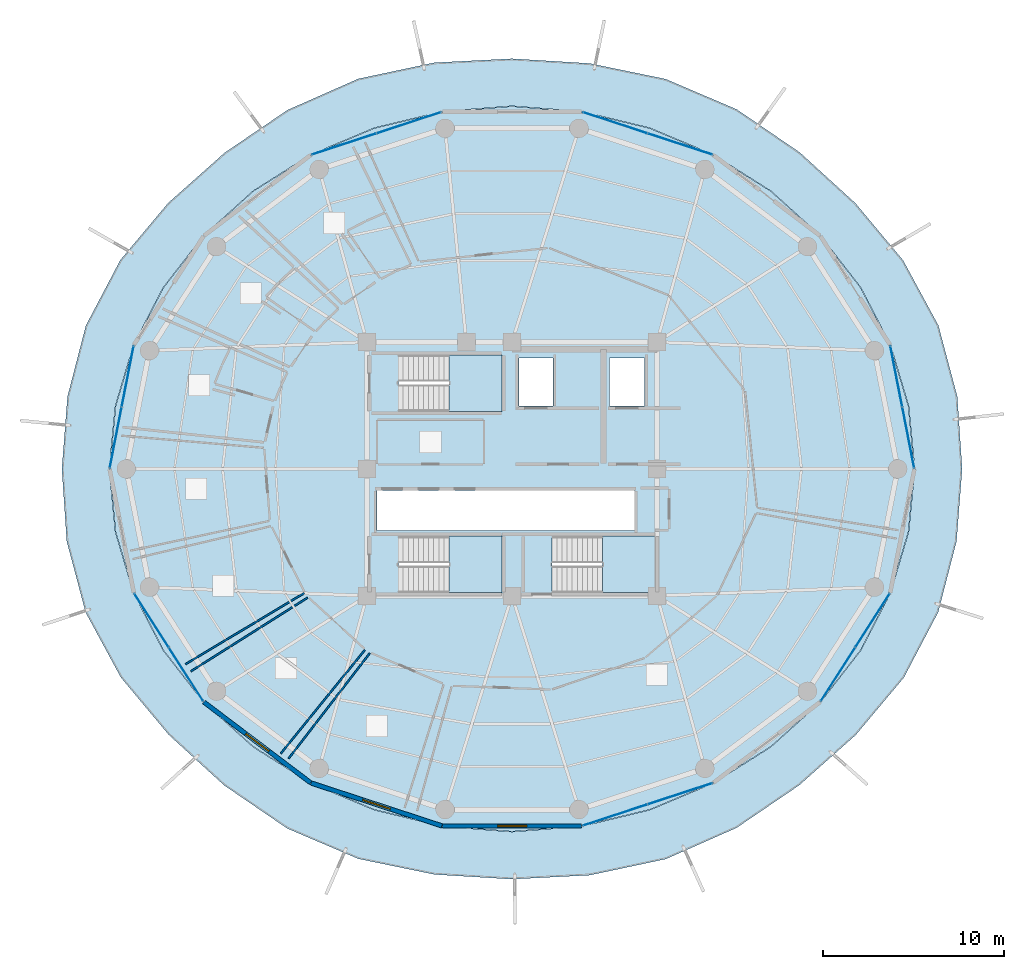
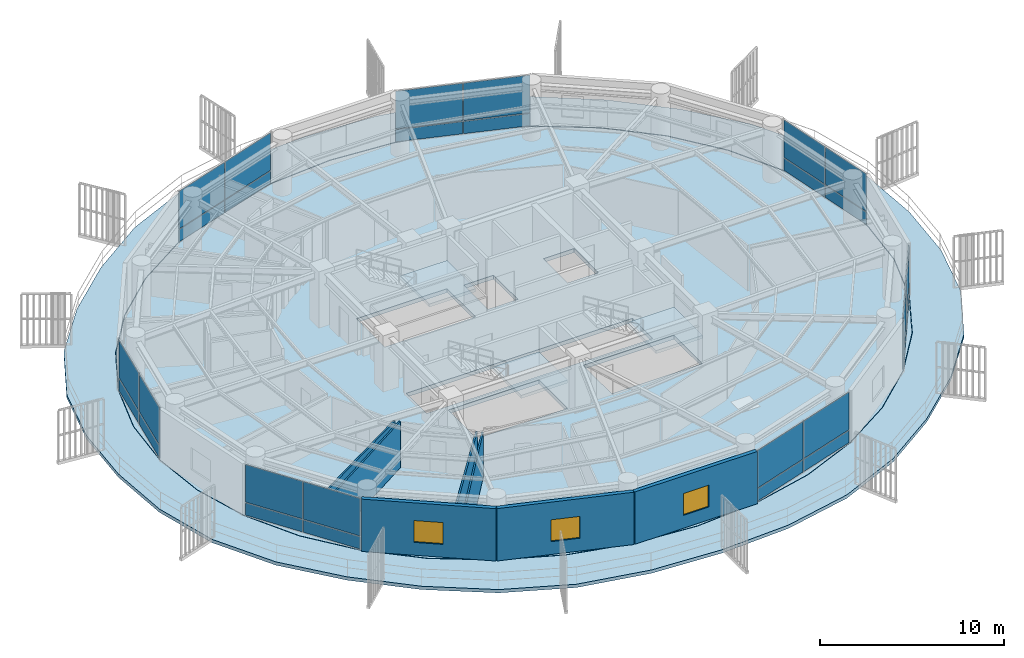
# One storey, part 23 of 31: 28 plates, 7 walls, 5 slabs, 3 windows, 3 openings, 10 elements without a shape of their own.
"""IFC4 building model written with IfcOpenShell, lengths in metres."""

from ifc_helpers import new_model, si_unit, direction, frame, frame_2d, origin, origin_2d, place, context, subcontext, project, spatial, polyline, rectangle, outline, extrude, source, transform, mapped, material, layer, layer_set, type_object, element, fill, aggregate, save


model = new_model("IFC4")

# Units and contexts
model_context = context("Model", 3, precision=1e-05, world=origin(), true_north=direction((0.0, 1.0)))
body_context = subcontext(model_context, "Body", "Model", "MODEL_VIEW")
ifc_project = project(units=[si_unit("LENGTHUNIT", "METRE"), si_unit("AREAUNIT", "SQUARE_METRE"), si_unit("VOLUMEUNIT", "CUBIC_METRE"), si_unit("PLANEANGLEUNIT", "RADIAN"), si_unit("MASSUNIT", "GRAM", prefix="KILO")], contexts=[model_context])

# Site, building, storey
site_placement = place(None, origin())
site = spatial("IfcSite", under=ifc_project, at=site_placement, CompositionType="ELEMENT")
building_placement = place(site_placement, origin())
building = spatial("IfcBuilding", under=site, at=building_placement, Name="Kelanora Arch Commons", CompositionType="ELEMENT")
storey_placement = place(building_placement, frame((0.0, 0.0, 219.449951171875)))
storey = spatial("IfcBuildingStorey", under=building, at=storey_placement, Name="L56", CompositionType="ELEMENT", Elevation=219.449951171875)

# Stair, slab
ifc_material_1 = material(Name="Concrete C40/50", Category="concrete")
stair_type = type_object("IfcStairType", Name="STR-DL-375", PredefinedType="HALF_TURN_STAIR", material=ifc_material_1)
stair_1_placement = place(storey_placement, origin())
stair_1 = element("IfcStair", 1, at=stair_1_placement, inside=storey, type_object=stair_type, Name="L56 ST-T1", PredefinedType="HALF_TURN_STAIR")
ifc_layer_1 = layer(ifc_material_1, 0.199951171875)
ifc_layer_set_1 = layer_set([ifc_layer_1], Name="Concrete C40/50")
slab_type_1 = type_object("IfcSlabType", Name="SLB-STAIR-LND", PredefinedType="LANDING", material=ifc_layer_set_1)
slab_1_placement = place(storey_placement, frame((0.0, 0.0, 1.675048828125)))
slab_1 = element("IfcSlab", 2, at=slab_1_placement, type_object=slab_type_1, Name="ST-T1 landing 1", PredefinedType="LANDING", context=body_context, shape_type="SweptSolid", body=[
    extrude(outline(polyline([(70.52001953125, 61.179931640625), (73.43994140625, 61.179931640625), (73.43994140625, 64.2900390625), (70.52001953125, 64.2900390625), (70.52001953125, 61.179931640625)])), origin(), (0.0, 0.0, 1.0), 0.199951171875),
])
aggregate(stair_1, [slab_1])

stair_2_placement = place(storey_placement, origin())
stair_2 = element("IfcStair", 3, at=stair_2_placement, inside=storey, type_object=stair_type, Name="L56 ST-T2", PredefinedType="HALF_TURN_STAIR")
slab_2_placement = place(storey_placement, frame((0.0, 0.0, 1.675048828125)))
slab_2 = element("IfcSlab", 4, at=slab_2_placement, type_object=slab_type_1, Name="ST-T2 landing 1", PredefinedType="LANDING", context=body_context, shape_type="SweptSolid", body=[
    extrude(outline(polyline([(79.0, 51.179931640625), (81.919921875, 51.179931640625), (81.919921875, 54.2900390625), (79.0, 54.2900390625), (79.0, 51.179931640625)])), origin(), (0.0, 0.0, 1.0), 0.199951171875),
])
aggregate(stair_2, [slab_2])

stair_3_placement = place(storey_placement, origin())
stair_3 = element("IfcStair", 5, at=stair_3_placement, inside=storey, type_object=stair_type, Name="L56 ST-T3", PredefinedType="HALF_TURN_STAIR")
slab_3_placement = place(storey_placement, frame((0.0, 0.0, 1.675048828125)))
slab_3 = element("IfcSlab", 6, at=slab_3_placement, type_object=slab_type_1, Name="ST-T3 landing 1", PredefinedType="LANDING", context=body_context, shape_type="SweptSolid", body=[
    extrude(outline(polyline([(70.52001953125, 51.179931640625), (73.43994140625, 51.179931640625), (73.43994140625, 54.2900390625), (70.52001953125, 54.2900390625), (70.52001953125, 51.179931640625)])), origin(), (0.0, 0.0, 1.0), 0.199951171875),
])
aggregate(stair_3, [slab_3])

# Slabs
ifc_layer_2 = layer(ifc_material_1, 0.260009765625)
ifc_layer_set_2 = layer_set([ifc_layer_2], Name="Concrete C40/50")
slab_type_2 = type_object("IfcSlabType", Name="SLB-TWR-TYP", PredefinedType="FLOOR", material=ifc_layer_set_2)
slab_4_placement = place(storey_placement, frame((0.0, 0.0, -0.260009765625)))
element("IfcSlab", 7, at=slab_4_placement, inside=storey, type_object=slab_type_2, Name="Tower Floor Slab L56", PredefinedType="FLOOR", context=body_context, shape_type="SweptSolid", body=[
    extrude(outline(polyline([(96.199951171875, 58.0), (95.86279296875, 61.472900390625), (94.861083984375, 64.84033203125), (93.225830078125, 68.0), (91.006103515625, 70.855712890625), (88.27001953125, 73.32080078125), (85.10009765625, 75.320556640625), (81.5927734375, 76.7939453125), (77.85498046875, 77.6962890625), (74.0, 78.0), (70.14501953125, 77.6962890625), (66.4072265625, 76.7939453125), (62.89990234375, 75.320556640625), (59.72998046875, 73.32080078125), (56.993896484375, 70.855712890625), (54.774169921875, 68.0), (53.138916015625, 64.84033203125), (52.13720703125, 61.472900390625), (51.800048828125, 58.0), (52.13720703125, 54.527099609375), (53.138916015625, 51.15966796875), (54.774169921875, 48.0), (56.993896484375, 45.144287109375), (59.72998046875, 42.67919921875), (62.89990234375, 40.679443359375), (66.4072265625, 39.2060546875), (70.14501953125, 38.3037109375), (74.0, 38.0), (77.85498046875, 38.3037109375), (81.5927734375, 39.2060546875), (85.10009765625, 40.679443359375), (88.27001953125, 42.67919921875), (91.006103515625, 45.144287109375), (93.225830078125, 48.0), (94.861083984375, 51.15966796875), (95.86279296875, 54.527099609375), (96.199951171875, 58.0)]), holes=[polyline([(73.431884765625, 51.18798828125), (67.72802734375, 51.18798828125), (67.72802734375, 54.281982421875), (73.431884765625, 54.281982421875), (73.431884765625, 51.18798828125)]), polyline([(76.2080078125, 51.18798828125), (76.2080078125, 54.281982421875), (81.912109375, 54.281982421875), (81.912109375, 51.18798828125), (76.2080078125, 51.18798828125)]), polyline([(66.550048828125, 54.60009765625), (66.550048828125, 56.800048828125), (80.75, 56.800048828125), (80.75, 54.60009765625), (66.550048828125, 54.60009765625)]), polyline([(73.431884765625, 61.18798828125), (67.72802734375, 61.18798828125), (67.72802734375, 64.281982421875), (73.431884765625, 64.281982421875), (73.431884765625, 61.18798828125)]), polyline([(74.3798828125, 61.47998046875), (74.3798828125, 64.1201171875), (76.260009765625, 64.1201171875), (76.260009765625, 61.47998046875), (74.3798828125, 61.47998046875)]), polyline([(79.3798828125, 61.47998046875), (79.3798828125, 64.1201171875), (81.320068359375, 64.1201171875), (81.320068359375, 61.47998046875), (79.3798828125, 61.47998046875)])]), origin(), (0.0, 0.0, 1.0), 0.260009765625),
])
ifc_layer_3 = layer(ifc_material_1, 0.219970703125)
ifc_layer_set_3 = layer_set([ifc_layer_3], Name="Concrete C40/50")
slab_type_3 = type_object("IfcSlabType", Name="SLB-WAVE-BAL", PredefinedType="FLOOR", material=ifc_layer_set_3)
slab_5_placement = place(storey_placement, frame((0.0, 0.0, -0.219970703125)))
element("IfcSlab", 8, at=slab_5_placement, inside=storey, type_object=slab_type_3, Name="Sinusoidal Wave Balcony Slab L56", PredefinedType="FLOOR", context=body_context, shape_type="SweptSolid", body=[
    extrude(outline(polyline([(98.832275390625, 58.0), (98.56201171875, 62.001220703125), (97.52099609375, 65.9150390625), (95.576171875, 69.506103515625), (92.94287109375, 72.659423828125), (89.882080078125, 75.45361328125), (86.40478515625, 77.8291015625), (82.482177734375, 79.506103515625), (78.280029296875, 80.3720703125), (74.0, 80.63232421875), (69.71337890625, 80.41259765625), (65.51318359375, 79.519775390625), (61.61181640625, 77.797119140625), (58.13427734375, 75.43212890625), (55.03759765625, 72.677734375), (52.3935546875, 69.525634765625), (50.4921875, 65.90966796875), (49.478271484375, 61.993408203125), (49.167724609375, 58.0), (49.43798828125, 53.998779296875), (50.47900390625, 50.0849609375), (52.423828125, 46.493896484375), (55.05712890625, 43.340576171875), (58.117919921875, 40.54638671875), (61.59521484375, 38.1708984375), (65.517822265625, 36.493896484375), (69.719970703125, 35.6279296875), (74.0, 35.36767578125), (78.28662109375, 35.58740234375), (82.48681640625, 36.480224609375), (86.38818359375, 38.202880859375), (89.86572265625, 40.56787109375), (92.96240234375, 43.322265625), (95.6064453125, 46.474365234375), (97.5078125, 50.09033203125), (98.521728515625, 54.006591796875), (98.832275390625, 58.0)]), holes=[polyline([(95.88232421875, 54.523681640625), (94.8798828125, 51.15283203125), (93.2431640625, 47.989990234375), (91.021484375, 45.13134765625), (88.28271484375, 42.663818359375), (85.110107421875, 40.662109375), (81.599609375, 39.1875), (77.8583984375, 38.2841796875), (74.0, 37.97998046875), (70.1416015625, 38.2841796875), (66.400390625, 39.1875), (62.889892578125, 40.662109375), (59.71728515625, 42.663818359375), (56.978515625, 45.13134765625), (54.7568359375, 47.989990234375), (53.1201171875, 51.15283203125), (52.11767578125, 54.523681640625), (51.780029296875, 58.0), (52.11767578125, 61.476318359375), (53.1201171875, 64.84716796875), (54.7568359375, 68.010009765625), (56.978515625, 70.86865234375), (59.71728515625, 73.336181640625), (62.889892578125, 75.337890625), (66.400390625, 76.8125), (70.1416015625, 77.7158203125), (74.0, 78.02001953125), (77.8583984375, 77.7158203125), (81.599609375, 76.8125), (85.110107421875, 75.337890625), (88.28271484375, 73.336181640625), (91.021484375, 70.86865234375), (93.2431640625, 68.010009765625), (94.8798828125, 64.84716796875), (95.88232421875, 61.476318359375), (96.219970703125, 58.0), (95.88232421875, 54.523681640625)])]), origin(), (0.0, 0.0, 1.0), 0.219970703125),
])

# Curtain wall, plates
ifc_material_2 = material(Name="Terracotta ceramic-fritted low-E glass and aluminium", Category="masonry")
ifc_layer_4 = layer(ifc_material_2, 0.175048828125)
ifc_layer_set_4 = layer_set([ifc_layer_4], Name="Terracotta ceramic-fritted low-E glass and aluminium")
curtain_wall_type = type_object("IfcCurtainWallType", Name="CW-SYS-02", PredefinedType="NOTDEFINED", material=ifc_layer_set_4)
curtain_wall_1_placement = place(storey_placement, origin())
curtain_wall_1 = element("IfcCurtainWall", 9, at=curtain_wall_1_placement, inside=storey, type_object=curtain_wall_type, Name="Unitised Curtain Wall L56-B00", PredefinedType="NOTDEFINED")
ifc_material_3 = material(Name="Terracotta ceramic-fritted double glazing", Category="masonry")
ifc_layer_5 = layer(ifc_material_3, 0.028076171875)
ifc_layer_set_5 = layer_set([ifc_layer_5], Name="Terracotta ceramic-fritted double glazing")
plate_type = type_object("IfcPlateType", Name="CWP-FRIT", PredefinedType="CURTAIN_PANEL", material=ifc_layer_set_5)
shared_shape_1 = source(origin(), body_context, "Body", "SweptSolid", [
    extrude(rectangle(XDim=3.380126953125, YDim=0.028076171875, at=origin_2d()), origin(), (0.0, 0.0, 1.0), 0.81005859375),
])
plate_1_placement = place(storey_placement, frame((95.861083984375, 59.732177734375, 0.06005859375), z_axis=(0.0, 0.0, 1.0), x_axis=(-0.192068926335, 0.981381438349, 0.0)))
plate_1 = element("IfcPlate", 10, at=plate_1_placement, type_object=plate_type, Name="CW-02 panel 1.1", PredefinedType="CURTAIN_PANEL", context=body_context, shape_type="MappedRepresentation", body=[
    mapped(shared_shape_1, transform((0.0, 0.0, 0.0), scale=1.0)),
])
plate_2_placement = place(storey_placement, frame((95.2001953125, 63.108154296875, 0.06005859375), z_axis=(0.0, 0.0, 1.0), x_axis=(-0.192068926335, 0.981381438349, 0.0)))
plate_2 = element("IfcPlate", 11, at=plate_2_placement, type_object=plate_type, Name="CW-02 panel 2.1", PredefinedType="CURTAIN_PANEL", context=body_context, shape_type="MappedRepresentation", body=[
    mapped(shared_shape_1, transform((0.0, 0.0, 0.0), scale=1.0)),
])

curtain_wall_2_placement = place(storey_placement, origin())
curtain_wall_2 = element("IfcCurtainWall", 12, at=curtain_wall_2_placement, inside=storey, type_object=curtain_wall_type, Name="Unitised Curtain Wall L56-B08", PredefinedType="NOTDEFINED")
plate_3_placement = place(storey_placement, frame((52.7998046875, 63.108154296875, 0.06005859375), z_axis=(0.0, 0.0, 1.0), x_axis=(-0.192068926335, -0.981381438349, 0.0)))
plate_3 = element("IfcPlate", 13, at=plate_3_placement, type_object=plate_type, Name="CW-02 panel 1.1", PredefinedType="CURTAIN_PANEL", context=body_context, shape_type="MappedRepresentation", body=[
    mapped(shared_shape_1, transform((0.0, 0.0, 0.0), scale=1.0)),
])
plate_4_placement = place(storey_placement, frame((52.138916015625, 59.732177734375, 0.06005859375), z_axis=(0.0, 0.0, 1.0), x_axis=(-0.192068926335, -0.981381438349, 0.0)))
plate_4 = element("IfcPlate", 14, at=plate_4_placement, type_object=plate_type, Name="CW-02 panel 2.1", PredefinedType="CURTAIN_PANEL", context=body_context, shape_type="MappedRepresentation", body=[
    mapped(shared_shape_1, transform((0.0, 0.0, 0.0), scale=1.0)),
])

# Plate
shared_shape_2 = source(origin(), body_context, "Body", "SweptSolid", [
    extrude(rectangle(XDim=3.380126953125, YDim=0.028076171875, at=origin_2d()), origin(), (0.0, 0.0, 1.0), 2.485107421875),
])
plate_5_placement = place(storey_placement, frame((95.861083984375, 59.732177734375, 0.93017578125), z_axis=(0.0, 0.0, 1.0), x_axis=(-0.192068926335, 0.981381438349, 0.0)))
plate_5 = element("IfcPlate", 15, at=plate_5_placement, type_object=plate_type, Name="CW-02 panel 1.2", PredefinedType="CURTAIN_PANEL", context=body_context, shape_type="MappedRepresentation", body=[
    mapped(shared_shape_2, transform((0.0, 0.0, 0.0), scale=1.0)),
])

plate_6_placement = place(storey_placement, frame((95.2001953125, 63.108154296875, 0.93017578125), z_axis=(0.0, 0.0, 1.0), x_axis=(-0.192068926335, 0.981381438349, 0.0)))
plate_6 = element("IfcPlate", 16, at=plate_6_placement, type_object=plate_type, Name="CW-02 panel 2.2", PredefinedType="CURTAIN_PANEL", context=body_context, shape_type="MappedRepresentation", body=[
    mapped(shared_shape_2, transform((0.0, 0.0, 0.0), scale=1.0)),
])

aggregate(curtain_wall_1, [plate_1, plate_5, plate_2, plate_6])

plate_7_placement = place(storey_placement, frame((52.7998046875, 63.108154296875, 0.93017578125), z_axis=(0.0, 0.0, 1.0), x_axis=(-0.192068926335, -0.981381438349, 0.0)))
plate_7 = element("IfcPlate", 17, at=plate_7_placement, type_object=plate_type, Name="CW-02 panel 1.2", PredefinedType="CURTAIN_PANEL", context=body_context, shape_type="MappedRepresentation", body=[
    mapped(shared_shape_2, transform((0.0, 0.0, 0.0), scale=1.0)),
])

plate_8_placement = place(storey_placement, frame((52.138916015625, 59.732177734375, 0.93017578125), z_axis=(0.0, 0.0, 1.0), x_axis=(-0.192068926335, -0.981381438349, 0.0)))
plate_8 = element("IfcPlate", 18, at=plate_8_placement, type_object=plate_type, Name="CW-02 panel 2.2", PredefinedType="CURTAIN_PANEL", context=body_context, shape_type="MappedRepresentation", body=[
    mapped(shared_shape_2, transform((0.0, 0.0, 0.0), scale=1.0)),
])

aggregate(curtain_wall_2, [plate_3, plate_7, plate_4, plate_8])

# Curtain wall, plates
curtain_wall_3_placement = place(storey_placement, origin())
curtain_wall_3 = element("IfcCurtainWall", 19, at=curtain_wall_3_placement, inside=storey, type_object=curtain_wall_type, Name="Unitised Curtain Wall L56-B03", PredefinedType="NOTDEFINED")
shared_shape_3 = source(origin(), body_context, "Body", "SweptSolid", [
    extrude(rectangle(XDim=3.707275390625, YDim=0.028076171875, at=origin_2d()), origin(), (0.0, 0.0, 1.0), 0.81005859375),
])
plate_9_placement = place(storey_placement, frame((83.267333984375, 75.92138671875, 0.06005859375), z_axis=(0.0, 0.0, 1.0), x_axis=(-0.950219124029, 0.311582439059, 0.0)))
plate_9 = element("IfcPlate", 20, at=plate_9_placement, type_object=plate_type, Name="CW-02 panel 1.1", PredefinedType="CURTAIN_PANEL", context=body_context, shape_type="MappedRepresentation", body=[
    mapped(shared_shape_3, transform((0.0, 0.0, 0.0), scale=1.0)),
])
plate_10_placement = place(storey_placement, frame((79.687744140625, 77.09521484375, 0.06005859375), z_axis=(0.0, 0.0, 1.0), x_axis=(-0.950219124029, 0.311582439059, 0.0)))
plate_10 = element("IfcPlate", 21, at=plate_10_placement, type_object=plate_type, Name="CW-02 panel 2.1", PredefinedType="CURTAIN_PANEL", context=body_context, shape_type="MappedRepresentation", body=[
    mapped(shared_shape_3, transform((0.0, 0.0, 0.0), scale=1.0)),
])

curtain_wall_4_placement = place(storey_placement, origin())
curtain_wall_4 = element("IfcCurtainWall", 22, at=curtain_wall_4_placement, inside=storey, type_object=curtain_wall_type, Name="Unitised Curtain Wall L56-B05", PredefinedType="NOTDEFINED")
plate_11_placement = place(storey_placement, frame((68.312255859375, 77.09521484375, 0.06005859375), z_axis=(0.0, 0.0, 1.0), x_axis=(-0.950219124029, -0.311582439059, 0.0)))
plate_11 = element("IfcPlate", 23, at=plate_11_placement, type_object=plate_type, Name="CW-02 panel 1.1", PredefinedType="CURTAIN_PANEL", context=body_context, shape_type="MappedRepresentation", body=[
    mapped(shared_shape_3, transform((0.0, 0.0, 0.0), scale=1.0)),
])
plate_12_placement = place(storey_placement, frame((64.732666015625, 75.92138671875, 0.06005859375), z_axis=(0.0, 0.0, 1.0), x_axis=(-0.950219124029, -0.311582439059, 0.0)))
plate_12 = element("IfcPlate", 24, at=plate_12_placement, type_object=plate_type, Name="CW-02 panel 2.1", PredefinedType="CURTAIN_PANEL", context=body_context, shape_type="MappedRepresentation", body=[
    mapped(shared_shape_3, transform((0.0, 0.0, 0.0), scale=1.0)),
])

curtain_wall_5_placement = place(storey_placement, origin())
curtain_wall_5 = element("IfcCurtainWall", 25, at=curtain_wall_5_placement, inside=storey, type_object=curtain_wall_type, Name="Unitised Curtain Wall L56-B14", PredefinedType="NOTDEFINED")
plate_13_placement = place(storey_placement, frame((79.687744140625, 38.90478515625, 0.06005859375), z_axis=(0.0, 0.0, 1.0), x_axis=(0.950219124029, 0.311582439059, 0.0)))
plate_13 = element("IfcPlate", 26, at=plate_13_placement, type_object=plate_type, Name="CW-02 panel 1.1", PredefinedType="CURTAIN_PANEL", context=body_context, shape_type="MappedRepresentation", body=[
    mapped(shared_shape_3, transform((0.0, 0.0, 0.0), scale=1.0)),
])
plate_14_placement = place(storey_placement, frame((83.267333984375, 40.07861328125, 0.06005859375), z_axis=(0.0, 0.0, 1.0), x_axis=(0.950219124029, 0.311582439059, 0.0)))
plate_14 = element("IfcPlate", 27, at=plate_14_placement, type_object=plate_type, Name="CW-02 panel 2.1", PredefinedType="CURTAIN_PANEL", context=body_context, shape_type="MappedRepresentation", body=[
    mapped(shared_shape_3, transform((0.0, 0.0, 0.0), scale=1.0)),
])

# Plate
shared_shape_4 = source(origin(), body_context, "Body", "SweptSolid", [
    extrude(rectangle(XDim=3.707275390625, YDim=0.028076171875, at=origin_2d()), origin(), (0.0, 0.0, 1.0), 2.485107421875),
])
plate_15_placement = place(storey_placement, frame((83.267333984375, 75.92138671875, 0.93017578125), z_axis=(0.0, 0.0, 1.0), x_axis=(-0.950219124029, 0.311582439059, 0.0)))
plate_15 = element("IfcPlate", 28, at=plate_15_placement, type_object=plate_type, Name="CW-02 panel 1.2", PredefinedType="CURTAIN_PANEL", context=body_context, shape_type="MappedRepresentation", body=[
    mapped(shared_shape_4, transform((0.0, 0.0, 0.0), scale=1.0)),
])

plate_16_placement = place(storey_placement, frame((79.687744140625, 77.09521484375, 0.93017578125), z_axis=(0.0, 0.0, 1.0), x_axis=(-0.950219124029, 0.311582439059, 0.0)))
plate_16 = element("IfcPlate", 29, at=plate_16_placement, type_object=plate_type, Name="CW-02 panel 2.2", PredefinedType="CURTAIN_PANEL", context=body_context, shape_type="MappedRepresentation", body=[
    mapped(shared_shape_4, transform((0.0, 0.0, 0.0), scale=1.0)),
])

aggregate(curtain_wall_3, [plate_9, plate_15, plate_10, plate_16])

plate_17_placement = place(storey_placement, frame((68.312255859375, 77.09521484375, 0.93017578125), z_axis=(0.0, 0.0, 1.0), x_axis=(-0.950219124029, -0.311582439059, 0.0)))
plate_17 = element("IfcPlate", 30, at=plate_17_placement, type_object=plate_type, Name="CW-02 panel 1.2", PredefinedType="CURTAIN_PANEL", context=body_context, shape_type="MappedRepresentation", body=[
    mapped(shared_shape_4, transform((0.0, 0.0, 0.0), scale=1.0)),
])

plate_18_placement = place(storey_placement, frame((64.732666015625, 75.92138671875, 0.93017578125), z_axis=(0.0, 0.0, 1.0), x_axis=(-0.950219124029, -0.311582439059, 0.0)))
plate_18 = element("IfcPlate", 31, at=plate_18_placement, type_object=plate_type, Name="CW-02 panel 2.2", PredefinedType="CURTAIN_PANEL", context=body_context, shape_type="MappedRepresentation", body=[
    mapped(shared_shape_4, transform((0.0, 0.0, 0.0), scale=1.0)),
])

aggregate(curtain_wall_4, [plate_11, plate_17, plate_12, plate_18])

plate_19_placement = place(storey_placement, frame((79.687744140625, 38.90478515625, 0.93017578125), z_axis=(0.0, 0.0, 1.0), x_axis=(0.950219124029, 0.311582439059, 0.0)))
plate_19 = element("IfcPlate", 32, at=plate_19_placement, type_object=plate_type, Name="CW-02 panel 1.2", PredefinedType="CURTAIN_PANEL", context=body_context, shape_type="MappedRepresentation", body=[
    mapped(shared_shape_4, transform((0.0, 0.0, 0.0), scale=1.0)),
])

plate_20_placement = place(storey_placement, frame((83.267333984375, 40.07861328125, 0.93017578125), z_axis=(0.0, 0.0, 1.0), x_axis=(0.950219124029, 0.311582439059, 0.0)))
plate_20 = element("IfcPlate", 33, at=plate_20_placement, type_object=plate_type, Name="CW-02 panel 2.2", PredefinedType="CURTAIN_PANEL", context=body_context, shape_type="MappedRepresentation", body=[
    mapped(shared_shape_4, transform((0.0, 0.0, 0.0), scale=1.0)),
])

aggregate(curtain_wall_5, [plate_13, plate_19, plate_14, plate_20])

# Curtain wall, plates
curtain_wall_6_placement = place(storey_placement, origin())
curtain_wall_6 = element("IfcCurtainWall", 34, at=curtain_wall_6_placement, inside=storey, type_object=curtain_wall_type, Name="Unitised Curtain Wall L56-B10", PredefinedType="NOTDEFINED")
shared_shape_5 = source(origin(), body_context, "Body", "SweptSolid", [
    extrude(rectangle(XDim=3.46728515625, YDim=0.028076171875, at=origin_2d()), origin(), (0.0, 0.0, 1.0), 0.81005859375),
])
plate_21_placement = place(storey_placement, frame((54.11474609375, 49.63671875, 0.06005859375), z_axis=(0.0, 0.0, 1.0), x_axis=(0.539559338994, -0.84194757539, 0.0)))
plate_21 = element("IfcPlate", 35, at=plate_21_placement, type_object=plate_type, Name="CW-02 panel 1.1", PredefinedType="CURTAIN_PANEL", context=body_context, shape_type="MappedRepresentation", body=[
    mapped(shared_shape_5, transform((0.0, 0.0, 0.0), scale=1.0)),
])
plate_22_placement = place(storey_placement, frame((56.017822265625, 46.6669921875, 0.06005859375), z_axis=(0.0, 0.0, 1.0), x_axis=(0.539559338994, -0.84194757539, 0.0)))
plate_22 = element("IfcPlate", 36, at=plate_22_placement, type_object=plate_type, Name="CW-02 panel 2.1", PredefinedType="CURTAIN_PANEL", context=body_context, shape_type="MappedRepresentation", body=[
    mapped(shared_shape_5, transform((0.0, 0.0, 0.0), scale=1.0)),
])

curtain_wall_7_placement = place(storey_placement, origin())
curtain_wall_7 = element("IfcCurtainWall", 37, at=curtain_wall_7_placement, inside=storey, type_object=curtain_wall_type, Name="Unitised Curtain Wall L56-B16", PredefinedType="NOTDEFINED")
plate_23_placement = place(storey_placement, frame((91.982177734375, 46.6669921875, 0.06005859375), z_axis=(0.0, 0.0, 1.0), x_axis=(0.539559338994, 0.84194757539, 0.0)))
plate_23 = element("IfcPlate", 38, at=plate_23_placement, type_object=plate_type, Name="CW-02 panel 1.1", PredefinedType="CURTAIN_PANEL", context=body_context, shape_type="MappedRepresentation", body=[
    mapped(shared_shape_5, transform((0.0, 0.0, 0.0), scale=1.0)),
])
plate_24_placement = place(storey_placement, frame((93.88525390625, 49.63671875, 0.06005859375), z_axis=(0.0, 0.0, 1.0), x_axis=(0.539559338994, 0.84194757539, 0.0)))
plate_24 = element("IfcPlate", 39, at=plate_24_placement, type_object=plate_type, Name="CW-02 panel 2.1", PredefinedType="CURTAIN_PANEL", context=body_context, shape_type="MappedRepresentation", body=[
    mapped(shared_shape_5, transform((0.0, 0.0, 0.0), scale=1.0)),
])

# Plate
shared_shape_6 = source(origin(), body_context, "Body", "SweptSolid", [
    extrude(rectangle(XDim=3.46728515625, YDim=0.028076171875, at=origin_2d()), origin(), (0.0, 0.0, 1.0), 2.485107421875),
])
plate_25_placement = place(storey_placement, frame((54.11474609375, 49.63671875, 0.93017578125), z_axis=(0.0, 0.0, 1.0), x_axis=(0.539559338994, -0.84194757539, 0.0)))
plate_25 = element("IfcPlate", 40, at=plate_25_placement, type_object=plate_type, Name="CW-02 panel 1.2", PredefinedType="CURTAIN_PANEL", context=body_context, shape_type="MappedRepresentation", body=[
    mapped(shared_shape_6, transform((0.0, 0.0, 0.0), scale=1.0)),
])

plate_26_placement = place(storey_placement, frame((56.017822265625, 46.6669921875, 0.93017578125), z_axis=(0.0, 0.0, 1.0), x_axis=(0.539559338994, -0.84194757539, 0.0)))
plate_26 = element("IfcPlate", 41, at=plate_26_placement, type_object=plate_type, Name="CW-02 panel 2.2", PredefinedType="CURTAIN_PANEL", context=body_context, shape_type="MappedRepresentation", body=[
    mapped(shared_shape_6, transform((0.0, 0.0, 0.0), scale=1.0)),
])

aggregate(curtain_wall_6, [plate_21, plate_25, plate_22, plate_26])

plate_27_placement = place(storey_placement, frame((91.982177734375, 46.6669921875, 0.93017578125), z_axis=(0.0, 0.0, 1.0), x_axis=(0.539559338994, 0.84194757539, 0.0)))
plate_27 = element("IfcPlate", 42, at=plate_27_placement, type_object=plate_type, Name="CW-02 panel 1.2", PredefinedType="CURTAIN_PANEL", context=body_context, shape_type="MappedRepresentation", body=[
    mapped(shared_shape_6, transform((0.0, 0.0, 0.0), scale=1.0)),
])

plate_28_placement = place(storey_placement, frame((93.88525390625, 49.63671875, 0.93017578125), z_axis=(0.0, 0.0, 1.0), x_axis=(0.539559338994, 0.84194757539, 0.0)))
plate_28 = element("IfcPlate", 43, at=plate_28_placement, type_object=plate_type, Name="CW-02 panel 2.2", PredefinedType="CURTAIN_PANEL", context=body_context, shape_type="MappedRepresentation", body=[
    mapped(shared_shape_6, transform((0.0, 0.0, 0.0), scale=1.0)),
])

aggregate(curtain_wall_7, [plate_23, plate_27, plate_24, plate_28])

# Wall, opening, window
ifc_material_4 = material(Name="Precast concrete C40/50 upper-zone terracotta rainscreen", Category="masonry")
ifc_layer_6 = layer(ifc_material_4, 0.239990234375)
ifc_layer_set_6 = layer_set([ifc_layer_6], Name="Precast concrete C40/50 upper-zone terracotta rainscreen")
wall_type_1 = type_object("IfcWallType", Name="W-EXT-TC2", PredefinedType="SOLIDWALL", material=ifc_layer_set_6)
wall_1_placement = place(storey_placement, frame((57.005859375, 45.13525390625, 0.0), z_axis=(0.0, 0.0, 1.0), x_axis=(0.797701674595, -0.603052268338, 0.0)))
wall_1 = element("IfcWall", 44, at=wall_1_placement, inside=storey, type_object=wall_type_1, Name="Terracotta Exterior Wall L56-B11", PredefinedType="SOLIDWALL", context=body_context, shape_type="SweptSolid", body=[
    extrude(rectangle(XDim=7.373779296875, YDim=0.239990234375, at=frame_2d((3.68701171875, 0.0))), origin(), (0.0, 0.0, 1.0), 3.47509765625),
])
opening_1_placement = place(wall_1_placement, frame((2.886962890625, 0.0, 0.85009765625)))
opening_1 = element("IfcOpeningElement", 45, at=opening_1_placement, cuts=wall_1, Name="Opening WN-01", PredefinedType="OPENING", context=body_context, shape_type="SweptSolid", body=[
    extrude(rectangle(XDim=1.60009765625, YDim=1.449951171875, at=frame_2d((0.800048828125, 0.72509765625))), frame((0.0, 0.1298828125, 0.0), z_axis=(0.0, -1.0, 0.0), x_axis=(1.0, 0.0, 0.0)), (0.0, 0.0, 1.0), 0.260009765625),
])
ifc_material_5 = material(Name="Terracotta-anodised aluminium frame with operable low-E glazing", Category="masonry")
window_type = type_object("IfcWindowType", Name="WIN-CL-18", PartitioningType="DOUBLE_PANEL_VERTICAL", PredefinedType="WINDOW", material=ifc_material_5)
window_1_placement = place(opening_1_placement, origin())
window_1 = element("IfcWindow", 46, at=window_1_placement, inside=storey, type_object=window_type, Name="Co-Living Operable Window L56-B11", OverallHeight=1.449951171875, OverallWidth=1.60009765625, PartitioningType="SINGLE_PANEL", PredefinedType="WINDOW", context=body_context, shape_type="SweptSolid", body=[
    extrude(rectangle(XDim=1.60009765625, YDim=1.449951171875, at=frame_2d((0.800048828125, 0.72509765625))), frame((0.0, 0.030029296875, 0.0), z_axis=(0.0, -1.0, 0.0), x_axis=(1.0, 0.0, 0.0)), (0.0, 0.0, 1.0), 0.06005859375),
])
fill(opening_1, window_1)

wall_2_placement = place(storey_placement, frame((62.914306640625, 40.6748046875, 0.0), z_axis=(0.0, 0.0, 1.0), x_axis=(0.95022142767, -0.31157541366, 0.0)))
wall_2 = element("IfcWall", 47, at=wall_2_placement, inside=storey, type_object=wall_type_1, Name="Terracotta Exterior Wall L56-B12", PredefinedType="SOLIDWALL", context=body_context, shape_type="SweptSolid", body=[
    extrude(rectangle(XDim=7.59423828125, YDim=0.239990234375, at=frame_2d((3.797119140625, 0.0))), origin(), (0.0, 0.0, 1.0), 3.47509765625),
])
opening_2_placement = place(wall_2_placement, frame((2.9970703125, 0.0, 0.85009765625)))
opening_2 = element("IfcOpeningElement", 48, at=opening_2_placement, cuts=wall_2, Name="Opening WN-01", PredefinedType="OPENING", context=body_context, shape_type="SweptSolid", body=[
    extrude(rectangle(XDim=1.60009765625, YDim=1.449951171875, at=frame_2d((0.800048828125, 0.72509765625))), frame((0.0, 0.1298828125, 0.0), z_axis=(0.0, -1.0, 0.0), x_axis=(1.0, 0.0, 0.0)), (0.0, 0.0, 1.0), 0.260009765625),
])
window_2_placement = place(opening_2_placement, origin())
window_2 = element("IfcWindow", 49, at=window_2_placement, inside=storey, type_object=window_type, Name="Co-Living Operable Window L56-B12", OverallHeight=1.449951171875, OverallWidth=1.60009765625, PartitioningType="SINGLE_PANEL", PredefinedType="WINDOW", context=body_context, shape_type="SweptSolid", body=[
    extrude(rectangle(XDim=1.60009765625, YDim=1.449951171875, at=frame_2d((0.800048828125, 0.72509765625))), frame((0.0, 0.030029296875, 0.0), z_axis=(0.0, -1.0, 0.0), x_axis=(1.0, 0.0, 0.0)), (0.0, 0.0, 1.0), 0.06005859375),
])
fill(opening_2, window_2)

wall_3_placement = place(storey_placement, frame((70.159912109375, 38.3037109375, 0.0), z_axis=(0.0, 0.0, 1.0), x_axis=(1.0, 0.0, 0.0)))
wall_3 = element("IfcWall", 50, at=wall_3_placement, inside=storey, type_object=wall_type_1, Name="Terracotta Exterior Wall L56-B13", PredefinedType="SOLIDWALL", context=body_context, shape_type="SweptSolid", body=[
    extrude(rectangle(XDim=7.68017578125, YDim=0.239990234375, at=frame_2d((3.840087890625, 0.0))), origin(), (0.0, 0.0, 1.0), 3.47509765625),
])
opening_3_placement = place(wall_3_placement, frame((3.0400390625, 0.0, 0.85009765625)))
opening_3 = element("IfcOpeningElement", 51, at=opening_3_placement, cuts=wall_3, Name="Opening WN-01", PredefinedType="OPENING", context=body_context, shape_type="SweptSolid", body=[
    extrude(rectangle(XDim=1.60009765625, YDim=1.449951171875, at=frame_2d((0.800048828125, 0.72509765625))), frame((0.0, 0.1298828125, 0.0), z_axis=(0.0, -1.0, 0.0), x_axis=(1.0, 0.0, 0.0)), (0.0, 0.0, 1.0), 0.260009765625),
])
window_3_placement = place(opening_3_placement, origin())
window_3 = element("IfcWindow", 52, at=window_3_placement, inside=storey, type_object=window_type, Name="Co-Living Operable Window L56-B13", OverallHeight=1.449951171875, OverallWidth=1.60009765625, PartitioningType="SINGLE_PANEL", PredefinedType="WINDOW", context=body_context, shape_type="SweptSolid", body=[
    extrude(rectangle(XDim=1.60009765625, YDim=1.449951171875, at=frame_2d((0.800048828125, 0.72509765625))), frame((0.0, 0.030029296875, 0.0), z_axis=(0.0, -1.0, 0.0), x_axis=(1.0, 0.0, 0.0)), (0.0, 0.0, 1.0), 0.06005859375),
])
fill(opening_3, window_3)

# Walls
ifc_material_6 = material(Name="Lightweight fire-rated acoustic stud partition")
ifc_layer_7 = layer(ifc_material_6, 0.10009765625)
ifc_layer_set_7 = layer_set([ifc_layer_7], Name="Lightweight fire-rated acoustic stud partition")
wall_type_2 = type_object("IfcWallType", Name="W-PART-100", PredefinedType="PARTITIONING", material=ifc_layer_set_7)
wall_4_placement = place(storey_placement, frame((62.53564453125, 51.1484375, 0.0), z_axis=(0.0, 0.0, 1.0), x_axis=(-0.858084969996, -0.513507725615, 0.0)))
element("IfcWall", 53, at=wall_4_placement, inside=storey, type_object=wall_type_2, Name="Social Sky Lounge L56-05 Enclosure Partition 2", PredefinedType="PARTITIONING", context=body_context, shape_type="SweptSolid", body=[
    extrude(rectangle(XDim=7.633544921875, YDim=0.10009765625, at=frame_2d((3.81689453125, 0.0))), origin(), (0.0, 0.0, 1.0), 3.025146484375),
])
wall_5_placement = place(storey_placement, frame((65.8798828125, 48.010009765625, 0.0), z_axis=(0.0, 0.0, 1.0), x_axis=(-0.630262810813, -0.776381857919, 0.0)))
element("IfcWall", 54, at=wall_5_placement, inside=storey, type_object=wall_type_2, Name="Quiet Seminar Study Room L56-06 Enclosure Partition 2", PredefinedType="PARTITIONING", context=body_context, shape_type="SweptSolid", body=[
    extrude(rectangle(XDim=7.3583984375, YDim=0.10009765625, at=frame_2d((3.67919921875, 0.0))), origin(), (0.0, 0.0, 1.0), 3.025146484375),
])
wall_6_placement = place(storey_placement, frame((56.28369140625, 46.836181640625, 0.0), z_axis=(0.0, 0.0, 1.0), x_axis=(0.84583000996, 0.533452522959, 0.0)))
element("IfcWall", 55, at=wall_6_placement, inside=storey, type_object=wall_type_2, Name="Quiet Seminar Study Room L56-06 Enclosure Partition 4", PredefinedType="PARTITIONING", context=body_context, shape_type="SweptSolid", body=[
    extrude(rectangle(XDim=7.615478515625, YDim=0.10009765625, at=frame_2d((3.8076171875, 0.0))), origin(), (0.0, 0.0, 1.0), 3.074951171875),
])
wall_7_placement = place(storey_placement, frame((61.67333984375, 42.021728515625, 0.0), z_axis=(0.0, 0.0, 1.0), x_axis=(0.610486992252, 0.792026282576, 0.0)))
element("IfcWall", 56, at=wall_7_placement, inside=storey, type_object=wall_type_2, Name="Quiet Seminar Study Room L56-07 Enclosure Partition 4", PredefinedType="PARTITIONING", context=body_context, shape_type="SweptSolid", body=[
    extrude(rectangle(XDim=7.3388671875, YDim=0.10009765625, at=frame_2d((3.66943359375, 0.0))), origin(), (0.0, 0.0, 1.0), 3.025146484375),
])

save(model, "model.ifc")
